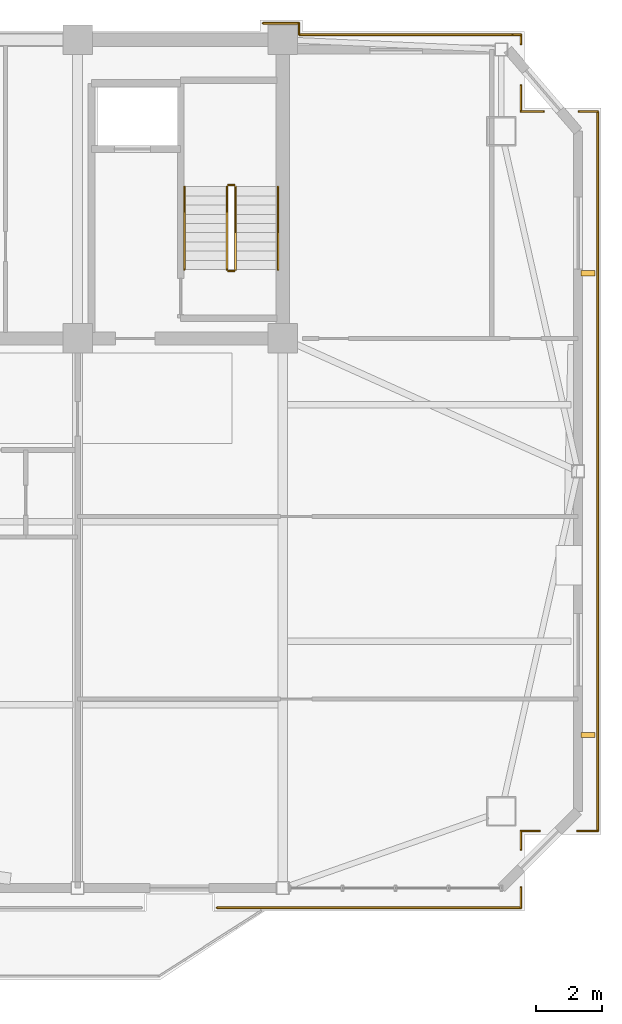
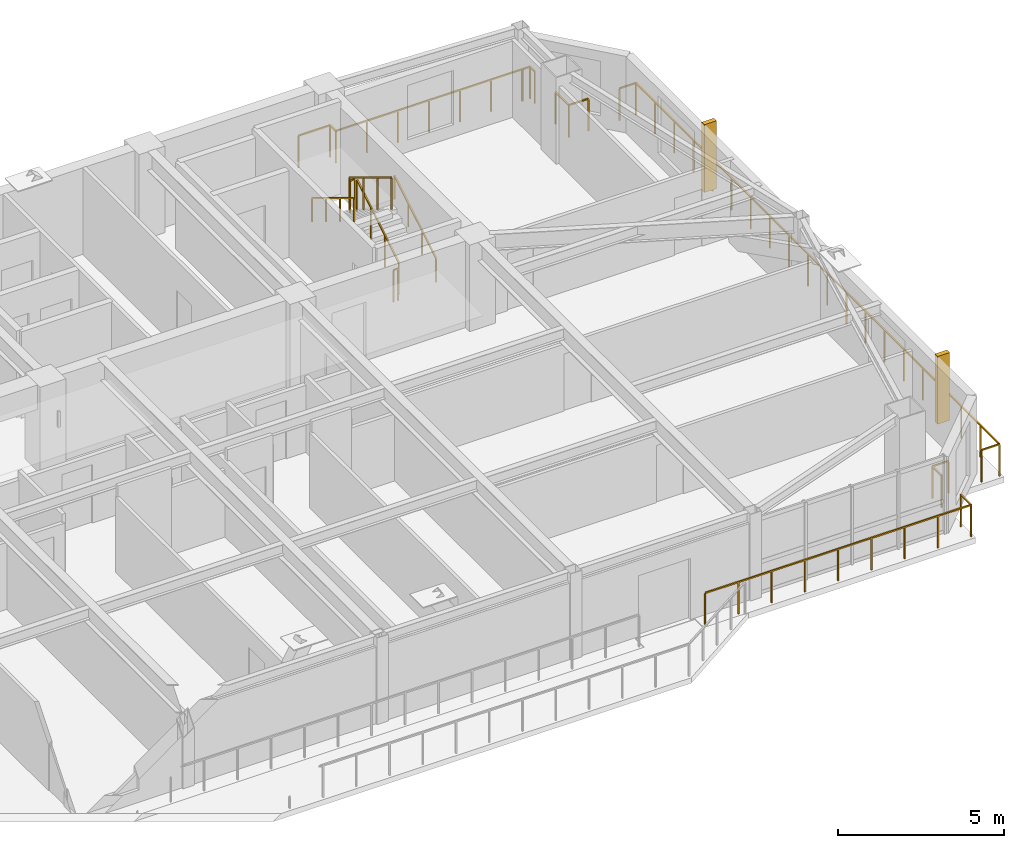
# One storey, part 14 of 14: 20 railings, 2 shading devices.
"""IFC4 building model written with IfcOpenShell, lengths in metres."""

from ifc_helpers import new_model, si_unit, direction, frame, origin, origin_2d, place, context, subcontext, project, spatial, rectangle, extrude, source, transform, mapped, material, type_object, element, save


model = new_model("IFC4")

# Units and contexts
model_context = context("Model", 3, precision=1e-05, world=origin(), true_north=direction((0.0, 1.0)))
body_context = subcontext(model_context, "Body", "Model", "MODEL_VIEW")
ifc_project = project(units=[si_unit("LENGTHUNIT", "METRE"), si_unit("AREAUNIT", "SQUARE_METRE"), si_unit("VOLUMEUNIT", "CUBIC_METRE"), si_unit("PLANEANGLEUNIT", "RADIAN"), si_unit("MASSUNIT", "GRAM", prefix="KILO")], contexts=[model_context])

# Site, building, storey
site_placement = place(None, origin())
site = spatial("IfcSite", under=ifc_project, at=site_placement, CompositionType="ELEMENT")
building_placement = place(site_placement, origin())
building = spatial("IfcBuilding", under=site, at=building_placement, Name="Giltprow Tower", CompositionType="ELEMENT")
storey_placement = place(building_placement, frame((0.0, 0.0, 317.60009765625)))
storey = spatial("IfcBuildingStorey", under=building, at=storey_placement, Name="L82", CompositionType="ELEMENT", Elevation=317.60009765625)

# Railings
ifc_material = material(Name="Anodized bronze", Category="metal")
railing_type_1 = type_object("IfcRailingType", Name="RAIL-BALC-GUARD-1200", PredefinedType="BALUSTRADE", material=ifc_material)
railing_1_placement = place(storey_placement, frame((60.14599609375, 44.362060546875, 0.0)))
element("IfcRailing", 1, at=railing_1_placement, inside=storey, type_object=railing_type_1, Name="L82 Corner Apron Edge Balustrade 1", PredefinedType="BALUSTRADE", context=body_context, shape_type="SweptSolid", body=[
    extrude(rectangle(XDim=0.048095703125, YDim=0.048095703125, at=origin_2d()), frame((0.0, 0.0, 1.17578125), z_axis=(0.0, -1.0, 0.0), x_axis=(1.0, 0.0, 0.0)), (0.0, 0.0, 1.0), 21.920166015625),
    extrude(rectangle(XDim=0.0419921875, YDim=0.0419921875, at=origin_2d()), origin(), (0.0, 0.0, 1.0), 1.15185546875),
    extrude(rectangle(XDim=0.0419921875, YDim=0.0419921875, at=origin_2d()), frame((0.0, -1.15380859375, 0.0)), (0.0, 0.0, 1.0), 1.15185546875),
    extrude(rectangle(XDim=0.0419921875, YDim=0.0419921875, at=origin_2d()), frame((0.0, -2.307373046875, 0.0)), (0.0, 0.0, 1.0), 1.15185546875),
    extrude(rectangle(XDim=0.0419921875, YDim=0.0419921875, at=origin_2d()), frame((0.0, -3.461181640625, 0.0)), (0.0, 0.0, 1.0), 1.15185546875),
    extrude(rectangle(XDim=0.0419921875, YDim=0.0419921875, at=origin_2d()), frame((0.0, -4.61474609375, 0.0)), (0.0, 0.0, 1.0), 1.15185546875),
    extrude(rectangle(XDim=0.0419921875, YDim=0.0419921875, at=origin_2d()), frame((0.0, -5.7685546875, 0.0)), (0.0, 0.0, 1.0), 1.15185546875),
    extrude(rectangle(XDim=0.0419921875, YDim=0.0419921875, at=origin_2d()), frame((0.0, -6.922119140625, 0.0)), (0.0, 0.0, 1.0), 1.15185546875),
    extrude(rectangle(XDim=0.0419921875, YDim=0.0419921875, at=origin_2d()), frame((0.0, -8.075927734375, 0.0)), (0.0, 0.0, 1.0), 1.15185546875),
    extrude(rectangle(XDim=0.0419921875, YDim=0.0419921875, at=origin_2d()), frame((0.0, -9.2294921875, 0.0)), (0.0, 0.0, 1.0), 1.15185546875),
    extrude(rectangle(XDim=0.0419921875, YDim=0.0419921875, at=origin_2d()), frame((0.0, -10.38330078125, 0.0)), (0.0, 0.0, 1.0), 1.15185546875),
    extrude(rectangle(XDim=0.0419921875, YDim=0.0419921875, at=origin_2d()), frame((0.0, -11.536865234375, 0.0)), (0.0, 0.0, 1.0), 1.15185546875),
    extrude(rectangle(XDim=0.0419921875, YDim=0.0419921875, at=origin_2d()), frame((0.0, -12.690673828125, 0.0)), (0.0, 0.0, 1.0), 1.15185546875),
    extrude(rectangle(XDim=0.0419921875, YDim=0.0419921875, at=origin_2d()), frame((0.0, -13.84423828125, 0.0)), (0.0, 0.0, 1.0), 1.15185546875),
    extrude(rectangle(XDim=0.0419921875, YDim=0.0419921875, at=origin_2d()), frame((0.0, -14.998046875, 0.0)), (0.0, 0.0, 1.0), 1.15185546875),
    extrude(rectangle(XDim=0.0419921875, YDim=0.0419921875, at=origin_2d()), frame((0.0, -16.151611328125, 0.0)), (0.0, 0.0, 1.0), 1.15185546875),
    extrude(rectangle(XDim=0.0419921875, YDim=0.0419921875, at=origin_2d()), frame((0.0, -17.305419921875, 0.0)), (0.0, 0.0, 1.0), 1.15185546875),
    extrude(rectangle(XDim=0.0419921875, YDim=0.0419921875, at=origin_2d()), frame((0.0, -18.458984375, 0.0)), (0.0, 0.0, 1.0), 1.15185546875),
    extrude(rectangle(XDim=0.0419921875, YDim=0.0419921875, at=origin_2d()), frame((0.0, -19.61279296875, 0.0)), (0.0, 0.0, 1.0), 1.15185546875),
    extrude(rectangle(XDim=0.0419921875, YDim=0.0419921875, at=origin_2d()), frame((0.0, -20.766357421875, 0.0)), (0.0, 0.0, 1.0), 1.15185546875),
    extrude(rectangle(XDim=0.0419921875, YDim=0.0419921875, at=origin_2d()), frame((0.0, -21.920166015625, 0.0)), (0.0, 0.0, 1.0), 1.15185546875),
])
railing_2_placement = place(storey_placement, frame((60.14599609375, 22.44189453125, 0.0)))
element("IfcRailing", 2, at=railing_2_placement, inside=storey, type_object=railing_type_1, Name="L82 Corner Apron Edge Balustrade 2", PredefinedType="BALUSTRADE", context=body_context, shape_type="SweptSolid", body=[
    extrude(rectangle(XDim=0.048095703125, YDim=0.048095703125, at=origin_2d()), frame((0.0, 0.0, 1.17578125), z_axis=(-1.0, 0.0, 0.0), x_axis=(0.0, -1.0, 0.0)), (0.0, 0.0, 1.0), 0.6201171875),
    extrude(rectangle(XDim=0.0419921875, YDim=0.0419921875, at=origin_2d()), origin(), (0.0, 0.0, 1.0), 1.15185546875),
    extrude(rectangle(XDim=0.0419921875, YDim=0.0419921875, at=origin_2d()), frame((-0.6201171875, 0.0, 0.0)), (0.0, 0.0, 1.0), 1.15185546875),
])
railing_3_placement = place(storey_placement, frame((58.365966796875, 22.44189453125, 0.0)))
element("IfcRailing", 3, at=railing_3_placement, inside=storey, type_object=railing_type_1, Name="L82 Corner Apron Edge Balustrade 3", PredefinedType="BALUSTRADE", context=body_context, shape_type="SweptSolid", body=[
    extrude(rectangle(XDim=0.048095703125, YDim=0.048095703125, at=origin_2d()), frame((0.0, 0.0, 1.17578125), z_axis=(-1.0, 0.0, 0.0), x_axis=(0.0, -1.0, 0.0)), (0.0, 0.0, 1.0), 0.557861328125),
    extrude(rectangle(XDim=0.0419921875, YDim=0.0419921875, at=origin_2d()), origin(), (0.0, 0.0, 1.0), 1.15185546875),
    extrude(rectangle(XDim=0.0419921875, YDim=0.0419921875, at=origin_2d()), frame((-0.557861328125, 0.0, 0.0)), (0.0, 0.0, 1.0), 1.15185546875),
])
railing_4_placement = place(storey_placement, frame((57.80810546875, 22.44189453125, 0.0)))
element("IfcRailing", 4, at=railing_4_placement, inside=storey, type_object=railing_type_1, Name="L82 Corner Apron Edge Balustrade 4", PredefinedType="BALUSTRADE", context=body_context, shape_type="SweptSolid", body=[
    extrude(rectangle(XDim=0.048095703125, YDim=0.048095703125, at=origin_2d()), frame((0.0, 0.0, 1.17578125), z_axis=(0.0, -1.0, 0.0), x_axis=(1.0, 0.0, 0.0)), (0.0, 0.0, 1.0), 0.557861328125),
    extrude(rectangle(XDim=0.0419921875, YDim=0.0419921875, at=origin_2d()), origin(), (0.0, 0.0, 1.0), 1.15185546875),
    extrude(rectangle(XDim=0.0419921875, YDim=0.0419921875, at=origin_2d()), frame((0.0, -0.557861328125, 0.0)), (0.0, 0.0, 1.0), 1.15185546875),
])
railing_5_placement = place(storey_placement, frame((57.80810546875, 20.72412109375, 0.0)))
element("IfcRailing", 5, at=railing_5_placement, inside=storey, type_object=railing_type_1, Name="L82 Corner Apron Edge Balustrade 5", PredefinedType="BALUSTRADE", context=body_context, shape_type="SweptSolid", body=[
    extrude(rectangle(XDim=0.048095703125, YDim=0.048095703125, at=origin_2d()), frame((0.0, 0.0, 1.17578125), z_axis=(0.0, -1.0, 0.0), x_axis=(1.0, 0.0, 0.0)), (0.0, 0.0, 1.0), 0.6201171875),
    extrude(rectangle(XDim=0.0419921875, YDim=0.0419921875, at=origin_2d()), origin(), (0.0, 0.0, 1.0), 1.15185546875),
    extrude(rectangle(XDim=0.0419921875, YDim=0.0419921875, at=origin_2d()), frame((0.0, -0.6201171875, 0.0)), (0.0, 0.0, 1.0), 1.15185546875),
])
railing_6_placement = place(storey_placement, frame((57.80810546875, 20.10400390625, 0.0)))
element("IfcRailing", 6, at=railing_6_placement, inside=storey, type_object=railing_type_1, Name="L82 Corner Apron Edge Balustrade 6", PredefinedType="BALUSTRADE", context=body_context, shape_type="SweptSolid", body=[
    extrude(rectangle(XDim=0.048095703125, YDim=0.048095703125, at=origin_2d()), frame((0.0, 0.0, 1.17578125), z_axis=(-1.0, 0.0, 0.0), x_axis=(0.0, -1.0, 0.0)), (0.0, 0.0, 1.0), 9.258056640625),
    extrude(rectangle(XDim=0.0419921875, YDim=0.0419921875, at=origin_2d()), origin(), (0.0, 0.0, 1.0), 1.15185546875),
    extrude(rectangle(XDim=0.0419921875, YDim=0.0419921875, at=origin_2d()), frame((-1.1572265625, 0.0, 0.0)), (0.0, 0.0, 1.0), 1.15185546875),
    extrude(rectangle(XDim=0.0419921875, YDim=0.0419921875, at=origin_2d()), frame((-2.314453125, 0.0, 0.0)), (0.0, 0.0, 1.0), 1.15185546875),
    extrude(rectangle(XDim=0.0419921875, YDim=0.0419921875, at=origin_2d()), frame((-3.4716796875, 0.0, 0.0)), (0.0, 0.0, 1.0), 1.15185546875),
    extrude(rectangle(XDim=0.0419921875, YDim=0.0419921875, at=origin_2d()), frame((-4.62890625, 0.0, 0.0)), (0.0, 0.0, 1.0), 1.15185546875),
    extrude(rectangle(XDim=0.0419921875, YDim=0.0419921875, at=origin_2d()), frame((-5.786376953125, 0.0, 0.0)), (0.0, 0.0, 1.0), 1.15185546875),
    extrude(rectangle(XDim=0.0419921875, YDim=0.0419921875, at=origin_2d()), frame((-6.943603515625, 0.0, 0.0)), (0.0, 0.0, 1.0), 1.15185546875),
    extrude(rectangle(XDim=0.0419921875, YDim=0.0419921875, at=origin_2d()), frame((-8.100830078125, 0.0, 0.0)), (0.0, 0.0, 1.0), 1.15185546875),
    extrude(rectangle(XDim=0.0419921875, YDim=0.0419921875, at=origin_2d()), frame((-9.258056640625, 0.0, 0.0)), (0.0, 0.0, 1.0), 1.15185546875),
])
railing_7_placement = place(storey_placement, frame((49.949951171875, 47.050048828125, 0.0)))
element("IfcRailing", 7, at=railing_7_placement, inside=storey, type_object=railing_type_1, Name="L82 Corner Apron Edge Balustrade 22", PredefinedType="BALUSTRADE", context=body_context, shape_type="SweptSolid", body=[
    extrude(rectangle(XDim=0.048095703125, YDim=0.048095703125, at=origin_2d()), frame((0.0, 0.0, 1.17578125), z_axis=(1.0, 0.0, 0.0), x_axis=(0.0, 1.0, 0.0)), (0.0, 0.0, 1.0), 1.10009765625),
    extrude(rectangle(XDim=0.0419921875, YDim=0.0419921875, at=origin_2d()), origin(), (0.0, 0.0, 1.0), 1.15185546875),
    extrude(rectangle(XDim=0.0419921875, YDim=0.0419921875, at=origin_2d()), frame((1.10009765625, 0.0, 0.0)), (0.0, 0.0, 1.0), 1.15185546875),
])
railing_8_placement = place(storey_placement, frame((51.050048828125, 47.050048828125, 0.0)))
element("IfcRailing", 8, at=railing_8_placement, inside=storey, type_object=railing_type_1, Name="L82 Corner Apron Edge Balustrade 23", PredefinedType="BALUSTRADE", context=body_context, shape_type="SweptSolid", body=[
    extrude(rectangle(XDim=0.048095703125, YDim=0.048095703125, at=origin_2d()), frame((0.0, 0.0, 1.17578125), z_axis=(0.0, -1.0, 0.0), x_axis=(1.0, 0.0, 0.0)), (0.0, 0.0, 1.0), 0.35009765625),
    extrude(rectangle(XDim=0.0419921875, YDim=0.0419921875, at=origin_2d()), origin(), (0.0, 0.0, 1.0), 1.15185546875),
    extrude(rectangle(XDim=0.0419921875, YDim=0.0419921875, at=origin_2d()), frame((0.0, -0.35009765625, 0.0)), (0.0, 0.0, 1.0), 1.15185546875),
])
railing_9_placement = place(storey_placement, frame((51.050048828125, 46.699951171875, 0.0)))
element("IfcRailing", 9, at=railing_9_placement, inside=storey, type_object=railing_type_1, Name="L82 Corner Apron Edge Balustrade 24", PredefinedType="BALUSTRADE", context=body_context, shape_type="SweptSolid", body=[
    extrude(rectangle(XDim=0.048095703125, YDim=0.048095703125, at=origin_2d()), frame((0.0, 0.0, 1.17578125), z_axis=(1.0, 0.0, 0.0), x_axis=(0.0, 1.0, 0.0)), (0.0, 0.0, 1.0), 6.48291015625),
    extrude(rectangle(XDim=0.0419921875, YDim=0.0419921875, at=origin_2d()), origin(), (0.0, 0.0, 1.0), 1.15185546875),
    extrude(rectangle(XDim=0.0419921875, YDim=0.0419921875, at=origin_2d()), frame((1.08056640625, 0.0, 0.0)), (0.0, 0.0, 1.0), 1.15185546875),
    extrude(rectangle(XDim=0.0419921875, YDim=0.0419921875, at=origin_2d()), frame((2.160888671875, 0.0, 0.0)), (0.0, 0.0, 1.0), 1.15185546875),
    extrude(rectangle(XDim=0.0419921875, YDim=0.0419921875, at=origin_2d()), frame((3.241455078125, 0.0, 0.0)), (0.0, 0.0, 1.0), 1.15185546875),
    extrude(rectangle(XDim=0.0419921875, YDim=0.0419921875, at=origin_2d()), frame((4.322021484375, 0.0, 0.0)), (0.0, 0.0, 1.0), 1.15185546875),
    extrude(rectangle(XDim=0.0419921875, YDim=0.0419921875, at=origin_2d()), frame((5.40234375, 0.0, 0.0)), (0.0, 0.0, 1.0), 1.15185546875),
    extrude(rectangle(XDim=0.0419921875, YDim=0.0419921875, at=origin_2d()), frame((6.48291015625, 0.0, 0.0)), (0.0, 0.0, 1.0), 1.15185546875),
])
railing_10_placement = place(storey_placement, frame((57.56201171875, 46.699951171875, 0.0)))
element("IfcRailing", 10, at=railing_10_placement, inside=storey, type_object=railing_type_1, Name="L82 Corner Apron Edge Balustrade 25", PredefinedType="BALUSTRADE", context=body_context, shape_type="SweptSolid", body=[
    extrude(rectangle(XDim=0.048095703125, YDim=0.048095703125, at=origin_2d()), frame((0.0, 0.0, 1.17578125), z_axis=(1.0, 0.0, 0.0), x_axis=(0.0, 1.0, 0.0)), (0.0, 0.0, 1.0), 0.24609375),
    extrude(rectangle(XDim=0.0419921875, YDim=0.0419921875, at=origin_2d()), origin(), (0.0, 0.0, 1.0), 1.15185546875),
    extrude(rectangle(XDim=0.0419921875, YDim=0.0419921875, at=origin_2d()), frame((0.24609375, 0.0, 0.0)), (0.0, 0.0, 1.0), 1.15185546875),
])
railing_11_placement = place(storey_placement, frame((57.80810546875, 46.699951171875, 0.0)))
element("IfcRailing", 11, at=railing_11_placement, inside=storey, type_object=railing_type_1, Name="L82 Corner Apron Edge Balustrade 26", PredefinedType="BALUSTRADE", context=body_context, shape_type="SweptSolid", body=[
    extrude(rectangle(XDim=0.048095703125, YDim=0.048095703125, at=origin_2d()), frame((0.0, 0.0, 1.17578125), z_axis=(0.0, -1.0, 0.0), x_axis=(1.0, 0.0, 0.0)), (0.0, 0.0, 1.0), 0.285888671875),
    extrude(rectangle(XDim=0.0419921875, YDim=0.0419921875, at=origin_2d()), origin(), (0.0, 0.0, 1.0), 1.15185546875),
    extrude(rectangle(XDim=0.0419921875, YDim=0.0419921875, at=origin_2d()), frame((0.0, -0.285888671875, 0.0)), (0.0, 0.0, 1.0), 1.15185546875),
])
railing_12_placement = place(storey_placement, frame((57.80810546875, 45.155029296875, 0.0)))
element("IfcRailing", 12, at=railing_12_placement, inside=storey, type_object=railing_type_1, Name="L82 Corner Apron Edge Balustrade 27", PredefinedType="BALUSTRADE", context=body_context, shape_type="SweptSolid", body=[
    extrude(rectangle(XDim=0.048095703125, YDim=0.048095703125, at=origin_2d()), frame((0.0, 0.0, 1.17578125), z_axis=(0.0, -1.0, 0.0), x_axis=(1.0, 0.0, 0.0)), (0.0, 0.0, 1.0), 0.79296875),
    extrude(rectangle(XDim=0.0419921875, YDim=0.0419921875, at=origin_2d()), origin(), (0.0, 0.0, 1.0), 1.15185546875),
    extrude(rectangle(XDim=0.0419921875, YDim=0.0419921875, at=origin_2d()), frame((0.0, -0.79296875, 0.0)), (0.0, 0.0, 1.0), 1.15185546875),
])
railing_13_placement = place(storey_placement, frame((57.80810546875, 44.362060546875, 0.0)))
element("IfcRailing", 13, at=railing_13_placement, inside=storey, type_object=railing_type_1, Name="L82 Corner Apron Edge Balustrade 28", PredefinedType="BALUSTRADE", context=body_context, shape_type="SweptSolid", body=[
    extrude(rectangle(XDim=0.048095703125, YDim=0.048095703125, at=origin_2d()), frame((0.0, 0.0, 1.17578125), z_axis=(1.0, 0.0, 0.0), x_axis=(0.0, 1.0, 0.0)), (0.0, 0.0, 1.0), 0.681884765625),
    extrude(rectangle(XDim=0.0419921875, YDim=0.0419921875, at=origin_2d()), origin(), (0.0, 0.0, 1.0), 1.15185546875),
    extrude(rectangle(XDim=0.0419921875, YDim=0.0419921875, at=origin_2d()), frame((0.681884765625, 0.0, 0.0)), (0.0, 0.0, 1.0), 1.15185546875),
])
railing_14_placement = place(storey_placement, frame((59.571044921875, 44.362060546875, 0.0)))
element("IfcRailing", 14, at=railing_14_placement, inside=storey, type_object=railing_type_1, Name="L82 Corner Apron Edge Balustrade 29", PredefinedType="BALUSTRADE", context=body_context, shape_type="SweptSolid", body=[
    extrude(rectangle(XDim=0.048095703125, YDim=0.048095703125, at=origin_2d()), frame((0.0, 0.0, 1.17578125), z_axis=(1.0, 0.0, 0.0), x_axis=(0.0, 1.0, 0.0)), (0.0, 0.0, 1.0), 0.574951171875),
    extrude(rectangle(XDim=0.0419921875, YDim=0.0419921875, at=origin_2d()), origin(), (0.0, 0.0, 1.0), 1.15185546875),
    extrude(rectangle(XDim=0.0419921875, YDim=0.0419921875, at=origin_2d()), frame((0.574951171875, 0.0, 0.0)), (0.0, 0.0, 1.0), 1.15185546875),
])
railing_type_2 = type_object("IfcRailingType", Name="RAIL-STAIR-GUARD-1200", PredefinedType="GUARDRAIL", material=ifc_material)
railing_15_placement = place(storey_placement, frame((49.110107421875, 39.550048828125, 0.169921875)))
element("IfcRailing", 15, at=railing_15_placement, inside=storey, type_object=railing_type_2, Name="L82 ST-3 stair guard 1", PredefinedType="GUARDRAIL", context=body_context, shape_type="SweptSolid", body=[
    extrude(rectangle(XDim=0.048095703125, YDim=0.048095703125, at=origin_2d()), frame((0.0, 0.0, 1.17578125), z_axis=(0.0, 0.85478489116, 0.518982456201), x_axis=(-1.0, 0.0, 0.0)), (0.0, 0.0, 1.0), 2.9482421875),
    extrude(rectangle(XDim=0.0419921875, YDim=0.0419921875, at=origin_2d()), origin(), (0.0, 0.0, 1.0), 1.15185546875),
    extrude(rectangle(XDim=0.0419921875, YDim=0.0419921875, at=origin_2d()), frame((0.0, 0.840087890625, 0.510009765625)), (0.0, 0.0, 1.0), 1.15185546875),
    extrude(rectangle(XDim=0.0419921875, YDim=0.0419921875, at=origin_2d()), frame((0.0, 1.679931640625, 1.02001953125)), (0.0, 0.0, 1.0), 1.15185546875),
    extrude(rectangle(XDim=0.0419921875, YDim=0.0419921875, at=origin_2d()), frame((0.0, 2.52001953125, 1.530029296875)), (0.0, 0.0, 1.0), 1.15185546875),
])
railing_16_placement = place(storey_placement, frame((49.06005859375, 42.1201171875, 1.699951171875)))
element("IfcRailing", 16, at=railing_16_placement, inside=storey, type_object=railing_type_2, Name="L82 ST-3 stair guard 2", PredefinedType="GUARDRAIL", context=body_context, shape_type="SweptSolid", body=[
    extrude(rectangle(XDim=0.048095703125, YDim=0.048095703125, at=origin_2d()), frame((0.0, 0.0, 1.17578125), z_axis=(-1.0, 0.0, 0.0), x_axis=(0.0, -1.0, 0.0)), (0.0, 0.0, 1.0), 0.16015625),
    extrude(rectangle(XDim=0.0419921875, YDim=0.0419921875, at=origin_2d()), origin(), (0.0, 0.0, 1.0), 1.15185546875),
    extrude(rectangle(XDim=0.0419921875, YDim=0.0419921875, at=origin_2d()), frame((-0.16015625, 0.0, 0.0)), (0.0, 0.0, 1.0), 1.15185546875),
])
railing_17_placement = place(storey_placement, frame((48.85009765625, 42.070068359375, 1.869873046875)))
element("IfcRailing", 17, at=railing_17_placement, inside=storey, type_object=railing_type_2, Name="L82 ST-3 stair guard 3", PredefinedType="GUARDRAIL", context=body_context, shape_type="SweptSolid", body=[
    extrude(rectangle(XDim=0.048095703125, YDim=0.048095703125, at=origin_2d()), frame((0.0, 0.0, 1.17578125), z_axis=(0.0, -0.85478489116, 0.518982456201), x_axis=(1.0, 0.0, 0.0)), (0.0, 0.0, 1.0), 2.9482421875),
    extrude(rectangle(XDim=0.0419921875, YDim=0.0419921875, at=origin_2d()), origin(), (0.0, 0.0, 1.0), 1.15185546875),
    extrude(rectangle(XDim=0.0419921875, YDim=0.0419921875, at=origin_2d()), frame((0.0, -0.840087890625, 0.510009765625)), (0.0, 0.0, 1.0), 1.15185546875),
    extrude(rectangle(XDim=0.0419921875, YDim=0.0419921875, at=origin_2d()), frame((0.0, -1.679931640625, 1.02001953125)), (0.0, 0.0, 1.0), 1.15185546875),
    extrude(rectangle(XDim=0.0419921875, YDim=0.0419921875, at=origin_2d()), frame((0.0, -2.52001953125, 1.530029296875)), (0.0, 0.0, 1.0), 1.15185546875),
])
railing_18_placement = place(storey_placement, frame((49.06005859375, 39.5, 0.0)))
element("IfcRailing", 18, at=railing_18_placement, inside=storey, type_object=railing_type_2, Name="L82 ST-3 stair guard 4", PredefinedType="GUARDRAIL", context=body_context, shape_type="SweptSolid", body=[
    extrude(rectangle(XDim=0.048095703125, YDim=0.048095703125, at=origin_2d()), frame((0.0, 0.0, 1.17578125), z_axis=(-1.0, 0.0, 0.0), x_axis=(0.0, -1.0, 0.0)), (0.0, 0.0, 1.0), 0.16015625),
    extrude(rectangle(XDim=0.0419921875, YDim=0.0419921875, at=origin_2d()), origin(), (0.0, 0.0, 1.0), 1.15185546875),
    extrude(rectangle(XDim=0.0419921875, YDim=0.0419921875, at=origin_2d()), frame((-0.16015625, 0.0, 0.0)), (0.0, 0.0, 1.0), 1.15185546875),
])
railing_type_3 = type_object("IfcRailingType", Name="RAIL-STAIR-HAND-900", PredefinedType="HANDRAIL", material=ifc_material)
railing_19_placement = place(storey_placement, frame((50.409912109375, 39.550048828125, 0.169921875)))
element("IfcRailing", 19, at=railing_19_placement, inside=storey, type_object=railing_type_3, Name="L82 ST-3 stair handrail 1", PredefinedType="HANDRAIL", context=body_context, shape_type="SweptSolid", body=[
    extrude(rectangle(XDim=0.048095703125, YDim=0.048095703125, at=origin_2d()), frame((0.0, 0.0, 0.8759765625), z_axis=(0.0, 0.85478489116, 0.518982456201), x_axis=(-1.0, 0.0, 0.0)), (0.0, 0.0, 1.0), 2.9482421875),
    extrude(rectangle(XDim=0.0419921875, YDim=0.0419921875, at=origin_2d()), origin(), (0.0, 0.0, 1.0), 0.851806640625),
    extrude(rectangle(XDim=0.0419921875, YDim=0.0419921875, at=origin_2d()), frame((0.0, 0.840087890625, 0.510009765625)), (0.0, 0.0, 1.0), 0.851806640625),
    extrude(rectangle(XDim=0.0419921875, YDim=0.0419921875, at=origin_2d()), frame((0.0, 1.679931640625, 1.02001953125)), (0.0, 0.0, 1.0), 0.851806640625),
    extrude(rectangle(XDim=0.0419921875, YDim=0.0419921875, at=origin_2d()), frame((0.0, 2.52001953125, 1.530029296875)), (0.0, 0.0, 1.0), 0.851806640625),
])
railing_20_placement = place(storey_placement, frame((47.550048828125, 42.070068359375, 1.869873046875)))
element("IfcRailing", 20, at=railing_20_placement, inside=storey, type_object=railing_type_3, Name="L82 ST-3 stair handrail 2", PredefinedType="HANDRAIL", context=body_context, shape_type="SweptSolid", body=[
    extrude(rectangle(XDim=0.048095703125, YDim=0.048095703125, at=origin_2d()), frame((0.0, 0.0, 0.8759765625), z_axis=(0.0, -0.85478489116, 0.518982456201), x_axis=(1.0, 0.0, 0.0)), (0.0, 0.0, 1.0), 2.9482421875),
    extrude(rectangle(XDim=0.0419921875, YDim=0.0419921875, at=origin_2d()), origin(), (0.0, 0.0, 1.0), 0.851806640625),
    extrude(rectangle(XDim=0.0419921875, YDim=0.0419921875, at=origin_2d()), frame((0.0, -0.840087890625, 0.510009765625)), (0.0, 0.0, 1.0), 0.851806640625),
    extrude(rectangle(XDim=0.0419921875, YDim=0.0419921875, at=origin_2d()), frame((0.0, -1.679931640625, 1.02001953125)), (0.0, 0.0, 1.0), 0.851806640625),
    extrude(rectangle(XDim=0.0419921875, YDim=0.0419921875, at=origin_2d()), frame((0.0, -2.52001953125, 1.530029296875)), (0.0, 0.0, 1.0), 0.851806640625),
])

# Shading devices
shading_device_type = type_object("IfcShadingDeviceType", Name="SHD-FIN-420", PredefinedType="USERDEFINED", material=ifc_material)
shared_shape = source(origin(), body_context, "Body", "SweptSolid", [
    extrude(rectangle(XDim=0.419921875, YDim=0.159912109375, at=origin_2d()), origin(), (0.0, 0.0, 1.0), 2.5),
])
for number, where, z_axis, x_axis, name in (
    (21, (59.845947265625, 25.3701171875, 0.349853515625), (0.0, 0.0, 1.0), (1.0, 0.0, 0.0), "L82 E Bronze Vertical Fin 1-1"),
    (22, (59.845947265625, 39.43701171875, 0.349853515625), (0.0, 0.0, 1.0), (1.0, 0.0, 0.0), "L82 E Bronze Vertical Fin 2-1"),
):
    element("IfcShadingDevice", number, at=place(storey_placement, frame(where, z_axis=z_axis, x_axis=x_axis)), inside=storey, type_object=shading_device_type, Name=name, ObjectType="FIN", PredefinedType="USERDEFINED", context=body_context, shape_type="MappedRepresentation", body=[
        mapped(shared_shape, transform((0.0, 0.0, 0.0), x_axis=(1.0, 0.0, 0.0), y_axis=(0.0, 1.0, 0.0), z_axis=(0.0, 0.0, 1.0), scale=1.0)),
    ])

save(model, "model.ifc")
